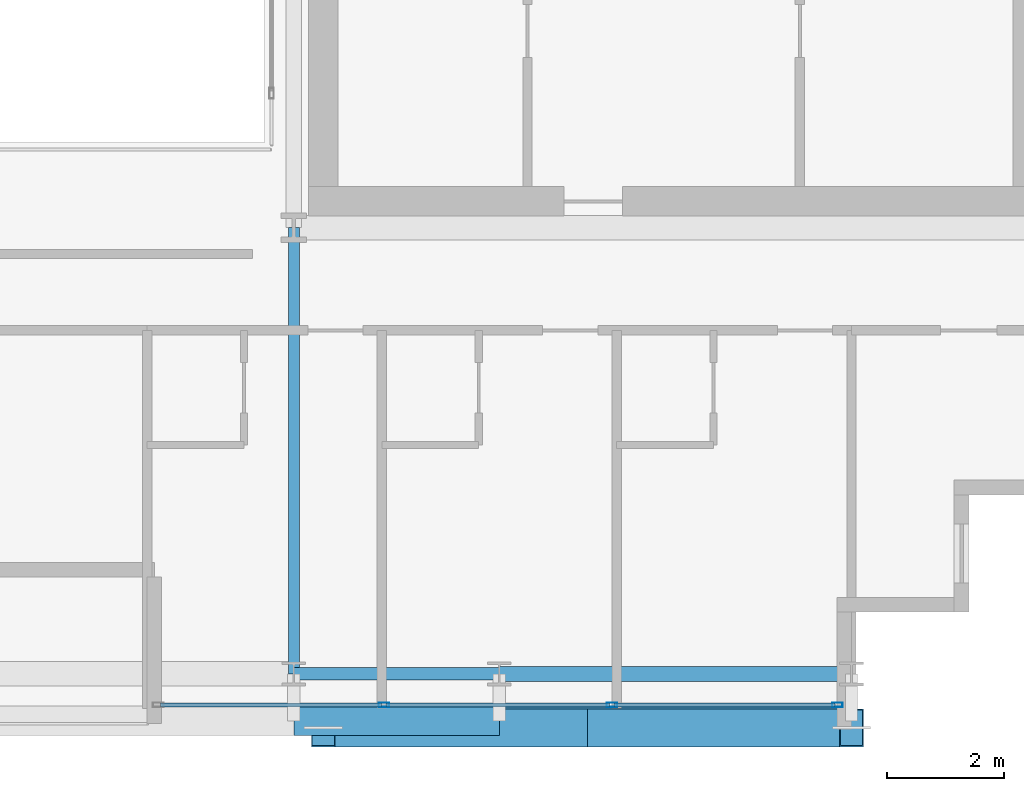
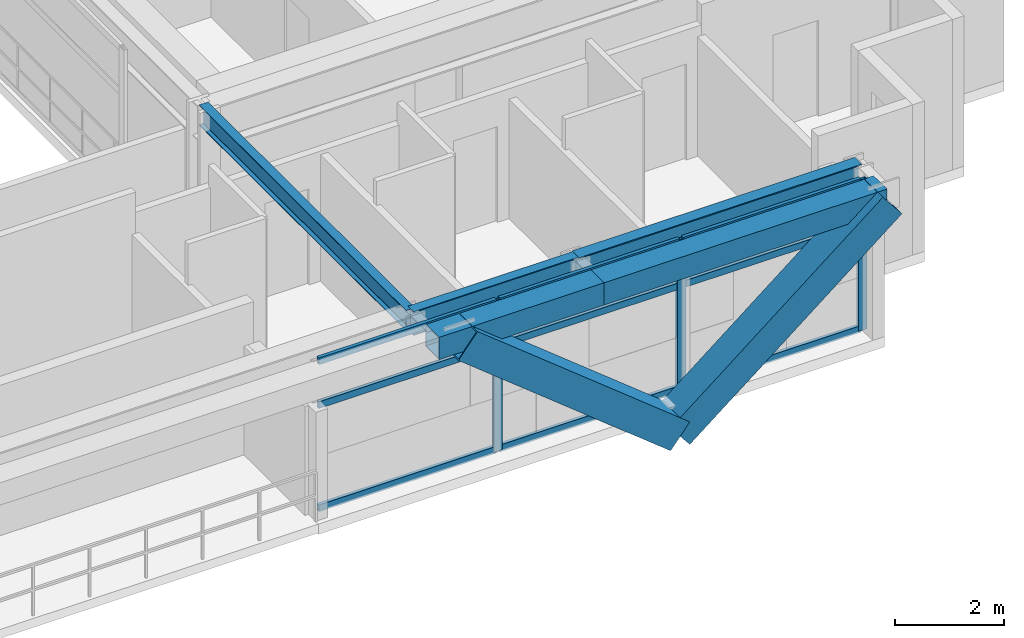
# One storey, part 12 of 38: 14 members, 5 beams, 1 element without a shape of its own.
"""IFC4 building model written with IfcOpenShell, lengths in metres."""

from ifc_helpers import new_model, si_unit, direction, frame, origin, origin_2d, place, context, subcontext, project, spatial, hollow_rectangle, i_section, extrude, source, transform, mapped, material, layer, layer_set, material_profile, profile_set, type_object, element, aggregate, save


model = new_model("IFC4")

# Units and contexts
model_context = context("Model", 3, precision=1e-05, world=origin(), true_north=direction((0.0, 1.0)))
body_context = subcontext(model_context, "Body", "Model", "MODEL_VIEW")
ifc_project = project(units=[si_unit("LENGTHUNIT", "METRE"), si_unit("AREAUNIT", "SQUARE_METRE"), si_unit("VOLUMEUNIT", "CUBIC_METRE"), si_unit("PLANEANGLEUNIT", "RADIAN"), si_unit("MASSUNIT", "GRAM", prefix="KILO")], contexts=[model_context])

# Site, building, storey
site_placement = place(None, origin())
site = spatial("IfcSite", under=ifc_project, at=site_placement, CompositionType="ELEMENT")
building_placement = place(site_placement, origin())
building = spatial("IfcBuilding", under=site, at=building_placement, Name="Ocotamira Hotel", CompositionType="ELEMENT")
storey_placement = place(building_placement, frame((0.0, 0.0, 170.39990234375)))
storey = spatial("IfcBuildingStorey", under=building, at=storey_placement, Name="L42", CompositionType="ELEMENT", Elevation=170.39990234375)

# Beams
ifc_material_1 = material(Name="Steel ASTM A992 Grade 50", Category="steel")
ifc_material_profile_1 = material_profile(ifc_material_1, i_section(OverallWidth=0.256103515625, OverallDepth=0.693115234375, WebThickness=0.014404296875, FlangeThickness=0.023681640625, FilletRadius=0.01611328125, at=origin_2d()), Name="W27X114")
ifc_profile_set_1 = profile_set([ifc_material_profile_1], Name="Steel ASTM A992 Grade 50")
beam_type_1 = type_object("IfcBeamType", Name="BM-PRIM-W27X114", PredefinedType="BEAM", material=ifc_profile_set_1)
shared_shape_1 = source(origin(), body_context, "Body", "SweptSolid", [
    extrude(i_section(OverallWidth=0.256103515625, OverallDepth=0.693115234375, WebThickness=0.014404296875, FlangeThickness=0.023681640625, FilletRadius=0.01611328125, at=origin_2d()), origin(), (0.0, 0.0, 1.0), 6.0),
])
beam_1_placement = place(storey_placement, frame((44.0, 6.949951171875, 3.023681640625), z_axis=(1.0, 0.0, 0.0), x_axis=(0.0, 1.0, 0.0)))
element("IfcBeam", 1, at=beam_1_placement, inside=storey, type_object=beam_type_1, Name="L42 Girder Y6.95 X44-50", PredefinedType="BEAM", context=body_context, shape_type="MappedRepresentation", body=[
    mapped(shared_shape_1, transform((0.0, 0.0, 0.0), scale=1.0)),
])
ifc_material_profile_2 = material_profile(ifc_material_1, i_section(OverallWidth=0.2099609375, OverallDepth=0.537109375, WebThickness=0.010986328125, FlangeThickness=0.017333984375, FilletRadius=0.012939453125, at=origin_2d()), Name="W21X68")
ifc_profile_set_2 = profile_set([ifc_material_profile_2], Name="Steel ASTM A992 Grade 50")
beam_type_2 = type_object("IfcBeamType", Name="BM-SEC-W21X68", PredefinedType="JOIST", material=ifc_profile_set_2)
shared_shape_2 = source(origin(), body_context, "Body", "SweptSolid", [
    extrude(i_section(OverallWidth=0.2099609375, OverallDepth=0.537109375, WebThickness=0.010986328125, FlangeThickness=0.017333984375, FilletRadius=0.012939453125, at=origin_2d()), origin(), (0.0, 0.0, 1.0), 3.5),
])
beam_2_placement = place(storey_placement, frame((40.5, 6.949951171875, 3.1015625), z_axis=(1.0, 0.0, 0.0), x_axis=(0.0, 1.0, 0.0)))
element("IfcBeam", 2, at=beam_2_placement, inside=storey, type_object=beam_type_2, Name="L42 Girder Y6.95 X40.5-44", PredefinedType="JOIST", context=body_context, shape_type="MappedRepresentation", body=[
    mapped(shared_shape_2, transform((0.0, 0.0, 0.0), scale=1.0)),
])
ifc_material_2 = material(Name="Steel ASTM A500 Grade C", Category="steel")
ifc_material_profile_3 = material_profile(ifc_material_2, hollow_rectangle(XDim=0.5, YDim=0.5, WallThickness=0.02001953125, at=origin_2d()), Name="HSS500X500X20")
ifc_profile_set_3 = profile_set([ifc_material_profile_3], Name="Steel ASTM A500 Grade C")
beam_type_3 = type_object("IfcBeamType", Name="BM-SPAN-HSS500", PredefinedType="USERDEFINED", material=ifc_profile_set_3)
shared_shape_3 = source(origin(), body_context, "Body", "SweptSolid", [
    extrude(hollow_rectangle(XDim=0.5, YDim=0.5, WallThickness=0.02001953125, at=origin_2d()), origin(), (0.0, 0.0, 1.0), 6.0),
])
beam_3_placement = place(storey_placement, frame((44.0, 6.14990234375, 3.1201171875), z_axis=(1.0, 0.0, 0.0), x_axis=(0.0, 1.0, 0.0)))
element("IfcBeam", 3, at=beam_3_placement, inside=storey, type_object=beam_type_3, Name="L42 Edge Spandrel S X44-50", ObjectType="SPANDREL", PredefinedType="USERDEFINED", context=body_context, shape_type="MappedRepresentation", body=[
    mapped(shared_shape_3, transform((0.0, 0.0, 0.0), scale=1.0)),
])
shared_shape_4 = source(origin(), body_context, "Body", "SweptSolid", [
    extrude(hollow_rectangle(XDim=0.5, YDim=0.5, WallThickness=0.02001953125, at=origin_2d()), origin(), (0.0, 0.0, 1.0), 3.5),
])
beam_4_placement = place(storey_placement, frame((40.5, 6.14990234375, 3.1201171875), z_axis=(1.0, 0.0, 0.0), x_axis=(0.0, 1.0, 0.0)))
element("IfcBeam", 4, at=beam_4_placement, inside=storey, type_object=beam_type_3, Name="L42 Edge Spandrel S X40.5-44", ObjectType="SPANDREL", PredefinedType="USERDEFINED", context=body_context, shape_type="MappedRepresentation", body=[
    mapped(shared_shape_4, transform((0.0, 0.0, 0.0), scale=1.0)),
])
ifc_material_profile_4 = material_profile(ifc_material_1, i_section(OverallWidth=0.18994140625, OverallDepth=0.45703125, WebThickness=0.009033203125, FlangeThickness=0.014404296875, FilletRadius=0.010009765625, at=origin_2d()), Name="W18X50")
ifc_profile_set_4 = profile_set([ifc_material_profile_4], Name="Steel ASTM A992 Grade 50")
beam_type_4 = type_object("IfcBeamType", Name="BM-SEC-W18X50", PredefinedType="JOIST", material=ifc_profile_set_4)
shared_shape_5 = source(origin(), body_context, "Body", "SweptSolid", [
    extrude(i_section(OverallWidth=0.18994140625, OverallDepth=0.45703125, WebThickness=0.009033203125, FlangeThickness=0.014404296875, FilletRadius=0.010009765625, at=origin_2d()), origin(), (0.0, 0.0, 1.0), 7.60009765625),
])
beam_5_placement = place(storey_placement, frame((40.5, 6.949951171875, 3.1416015625), z_axis=(0.0, 1.0, 0.0), x_axis=(-1.0, 0.0, 0.0)))
element("IfcBeam", 5, at=beam_5_placement, inside=storey, type_object=beam_type_4, Name="L42 Beam X40.5 Y6.95-14.55", PredefinedType="JOIST", context=body_context, shape_type="MappedRepresentation", body=[
    mapped(shared_shape_5, transform((0.0, 0.0, 0.0), scale=1.0)),
])

# Members
ifc_material_3 = material(Name="Pale-metal coated steel ASTM A913 Grade 65", Category="steel")
ifc_material_profile_5 = material_profile(ifc_material_3, hollow_rectangle(XDim=0.64990234375, YDim=0.64990234375, WallThickness=0.02197265625, at=origin_2d()), Name="BOX650X650X22")
ifc_profile_set_5 = profile_set([ifc_material_profile_5], Name="Pale-metal coated steel ASTM A913 Grade 65")
member_type_1 = type_object("IfcMemberType", Name="MEM-EXO-BOX650", PredefinedType="BRACE", material=ifc_profile_set_5)
shared_shape_6 = source(origin(), body_context, "Body", "SweptSolid", [
    extrude(hollow_rectangle(XDim=0.64990234375, YDim=0.64990234375, WallThickness=0.02197265625, at=origin_2d()), origin(), (0.0, 0.0, 1.0), 5.762939453125),
])
for number, where, z_axis, x_axis, name in (
    (6, (45.5, 6.030029296875, -0.47998046875), (-0.780860543151, 0.0, 0.624705380279), (0.0, -1.0, 0.0), "L42 Exoskeleton Diagrid S3.1"),
    (7, (45.5, 6.030029296875, -0.47998046875), (0.780860543151, 0.0, 0.624705380279), (0.0, 1.0, 0.0), "L42 Exoskeleton Diagrid S3.2"),
):
    element("IfcMember", number, at=place(storey_placement, frame(where, z_axis=z_axis, x_axis=x_axis)), inside=storey, type_object=member_type_1, Name=name, PredefinedType="BRACE", context=body_context, shape_type="MappedRepresentation", body=[
        mapped(shared_shape_6, transform((0.0, 0.0, 0.0), scale=1.0)),
    ])

# Curtain wall, members
ifc_material_4 = material(Name="Anodised pale-metal aluminium and solar glass", Category="aluminium")
ifc_layer = layer(ifc_material_4, 0.199951171875)
ifc_layer_set = layer_set([ifc_layer], Name="Anodised pale-metal aluminium and solar glass")
curtain_wall_type = type_object("IfcCurtainWallType", Name="CW-SYS4-Z3", PredefinedType="NOTDEFINED", material=ifc_layer_set)
curtain_wall_placement = place(storey_placement, origin())
curtain_wall = element("IfcCurtainWall", 8, at=curtain_wall_placement, inside=storey, type_object=curtain_wall_type, Name="L42 Curtain Wall CW-4 CW-L42-S2", PredefinedType="NOTDEFINED")
ifc_material_5 = material(Name="Anodised pale-metal aluminium 6063-T6", Category="aluminium")
ifc_material_profile_6 = material_profile(ifc_material_5, hollow_rectangle(XDim=0.080078125, YDim=0.179931640625, WallThickness=0.006103515625, at=origin_2d()), Name="HSS180X80X6")
ifc_profile_set_6 = profile_set([ifc_material_profile_6], Name="Anodised pale-metal aluminium 6063-T6")
member_type_2 = type_object("IfcMemberType", Name="CWM-180X75", PredefinedType="MULLION", material=ifc_profile_set_6)
shared_shape_7 = source(origin(), body_context, "Body", "SweptSolid", [
    extrude(hollow_rectangle(XDim=0.080078125, YDim=0.179931640625, WallThickness=0.006103515625, at=origin_2d()), origin(), (0.0, 0.0, 1.0), 3.3701171875),
])
member_1_placement = place(storey_placement, frame((42.033447265625, 6.419921875, 0.0), z_axis=(0.0, 0.0, 1.0), x_axis=(0.0, 1.0, 0.0)))
member_1 = element("IfcMember", 9, at=member_1_placement, type_object=member_type_2, Name="CW-4 mullion 2", PredefinedType="MULLION", context=body_context, shape_type="MappedRepresentation", body=[
    mapped(shared_shape_7, transform((0.0, 0.0, 0.0), scale=1.0)),
])
member_2_placement = place(storey_placement, frame((45.916748046875, 6.419921875, 0.0), z_axis=(0.0, 0.0, 1.0), x_axis=(0.0, 1.0, 0.0)))
member_2 = element("IfcMember", 10, at=member_2_placement, type_object=member_type_2, Name="CW-4 mullion 3", PredefinedType="MULLION", context=body_context, shape_type="MappedRepresentation", body=[
    mapped(shared_shape_7, transform((0.0, 0.0, 0.0), scale=1.0)),
])
member_3_placement = place(storey_placement, frame((49.760009765625, 6.419921875, 0.0), z_axis=(0.0, 0.0, 1.0), x_axis=(0.0, 1.0, 0.0)))
member_3 = element("IfcMember", 11, at=member_3_placement, type_object=member_type_2, Name="CW-4 mullion 4", PredefinedType="MULLION", context=body_context, shape_type="MappedRepresentation", body=[
    mapped(shared_shape_7, transform((0.0, 0.0, 0.0), scale=1.0)),
])
ifc_material_profile_7 = material_profile(ifc_material_5, hollow_rectangle(XDim=0.074951171875, YDim=0.14990234375, WallThickness=0.006103515625, at=origin_2d()), Name="HSS150X75X6")
ifc_profile_set_7 = profile_set([ifc_material_profile_7], Name="Anodised pale-metal aluminium 6063-T6")
member_type_3 = type_object("IfcMemberType", Name="CWT-150X75", PredefinedType="USERDEFINED", material=ifc_profile_set_7)
shared_shape_8 = source(origin(), body_context, "Body", "SweptSolid", [
    extrude(hollow_rectangle(XDim=0.074951171875, YDim=0.14990234375, WallThickness=0.006103515625, at=origin_2d()), origin(), (0.0, 0.0, 1.0), 3.76318359375),
])
member_4_placement = place(storey_placement, frame((45.956787109375, 6.419921875, 0.03759765625), z_axis=(1.0, 0.0, 0.0), x_axis=(0.0, 1.0, 0.0)))
member_4 = element("IfcMember", 12, at=member_4_placement, type_object=member_type_3, Name="CW-4 transom 3.1", ObjectType="TRANSOM", PredefinedType="USERDEFINED", context=body_context, shape_type="MappedRepresentation", body=[
    mapped(shared_shape_8, transform((0.0, 0.0, 0.0), scale=1.0)),
])
member_5_placement = place(storey_placement, frame((45.956787109375, 6.419921875, 2.35009765625), z_axis=(1.0, 0.0, 0.0), x_axis=(0.0, 1.0, 0.0)))
member_5 = element("IfcMember", 13, at=member_5_placement, type_object=member_type_3, Name="CW-4 transom 3.2", ObjectType="TRANSOM", PredefinedType="USERDEFINED", context=body_context, shape_type="MappedRepresentation", body=[
    mapped(shared_shape_8, transform((0.0, 0.0, 0.0), scale=1.0)),
])
member_6_placement = place(storey_placement, frame((45.956787109375, 6.419921875, 3.33251953125), z_axis=(1.0, 0.0, 0.0), x_axis=(0.0, 1.0, 0.0)))
member_6 = element("IfcMember", 14, at=member_6_placement, type_object=member_type_3, Name="CW-4 transom 3.3", ObjectType="TRANSOM", PredefinedType="USERDEFINED", context=body_context, shape_type="MappedRepresentation", body=[
    mapped(shared_shape_8, transform((0.0, 0.0, 0.0), scale=1.0)),
])
shared_shape_9 = source(origin(), body_context, "Body", "SweptSolid", [
    extrude(hollow_rectangle(XDim=0.074951171875, YDim=0.14990234375, WallThickness=0.006103515625, at=origin_2d()), origin(), (0.0, 0.0, 1.0), 3.803466796875),
])
member_7_placement = place(storey_placement, frame((42.0732421875, 6.419921875, 0.03759765625), z_axis=(1.0, 0.0, 0.0), x_axis=(0.0, 1.0, 0.0)))
member_7 = element("IfcMember", 15, at=member_7_placement, type_object=member_type_3, Name="CW-4 transom 2.1", ObjectType="TRANSOM", PredefinedType="USERDEFINED", context=body_context, shape_type="MappedRepresentation", body=[
    mapped(shared_shape_9, transform((0.0, 0.0, 0.0), scale=1.0)),
])
member_8_placement = place(storey_placement, frame((42.0732421875, 6.419921875, 2.35009765625), z_axis=(1.0, 0.0, 0.0), x_axis=(0.0, 1.0, 0.0)))
member_8 = element("IfcMember", 16, at=member_8_placement, type_object=member_type_3, Name="CW-4 transom 2.2", ObjectType="TRANSOM", PredefinedType="USERDEFINED", context=body_context, shape_type="MappedRepresentation", body=[
    mapped(shared_shape_9, transform((0.0, 0.0, 0.0), scale=1.0)),
])
member_9_placement = place(storey_placement, frame((42.0732421875, 6.419921875, 3.33251953125), z_axis=(1.0, 0.0, 0.0), x_axis=(0.0, 1.0, 0.0)))
member_9 = element("IfcMember", 17, at=member_9_placement, type_object=member_type_3, Name="CW-4 transom 2.3", ObjectType="TRANSOM", PredefinedType="USERDEFINED", context=body_context, shape_type="MappedRepresentation", body=[
    mapped(shared_shape_9, transform((0.0, 0.0, 0.0), scale=1.0)),
])
shared_shape_10 = source(origin(), body_context, "Body", "SweptSolid", [
    extrude(hollow_rectangle(XDim=0.074951171875, YDim=0.14990234375, WallThickness=0.006103515625, at=origin_2d()), origin(), (0.0, 0.0, 1.0), 3.763427734375),
])
member_10_placement = place(storey_placement, frame((38.22998046875, 6.419921875, 0.03759765625), z_axis=(1.0, 0.0, 0.0), x_axis=(0.0, 1.0, 0.0)))
member_10 = element("IfcMember", 18, at=member_10_placement, type_object=member_type_3, Name="CW-4 transom 1.1", ObjectType="TRANSOM", PredefinedType="USERDEFINED", context=body_context, shape_type="MappedRepresentation", body=[
    mapped(shared_shape_10, transform((0.0, 0.0, 0.0), scale=1.0)),
])
member_11_placement = place(storey_placement, frame((38.22998046875, 6.419921875, 2.35009765625), z_axis=(1.0, 0.0, 0.0), x_axis=(0.0, 1.0, 0.0)))
member_11 = element("IfcMember", 19, at=member_11_placement, type_object=member_type_3, Name="CW-4 transom 1.2", ObjectType="TRANSOM", PredefinedType="USERDEFINED", context=body_context, shape_type="MappedRepresentation", body=[
    mapped(shared_shape_10, transform((0.0, 0.0, 0.0), scale=1.0)),
])
member_12_placement = place(storey_placement, frame((38.22998046875, 6.419921875, 3.33251953125), z_axis=(1.0, 0.0, 0.0), x_axis=(0.0, 1.0, 0.0)))
member_12 = element("IfcMember", 20, at=member_12_placement, type_object=member_type_3, Name="CW-4 transom 1.3", ObjectType="TRANSOM", PredefinedType="USERDEFINED", context=body_context, shape_type="MappedRepresentation", body=[
    mapped(shared_shape_10, transform((0.0, 0.0, 0.0), scale=1.0)),
])
aggregate(curtain_wall, [member_1, member_2, member_3, member_10, member_11, member_12, member_7, member_8, member_9, member_4, member_5, member_6])

save(model, "model.ifc")
